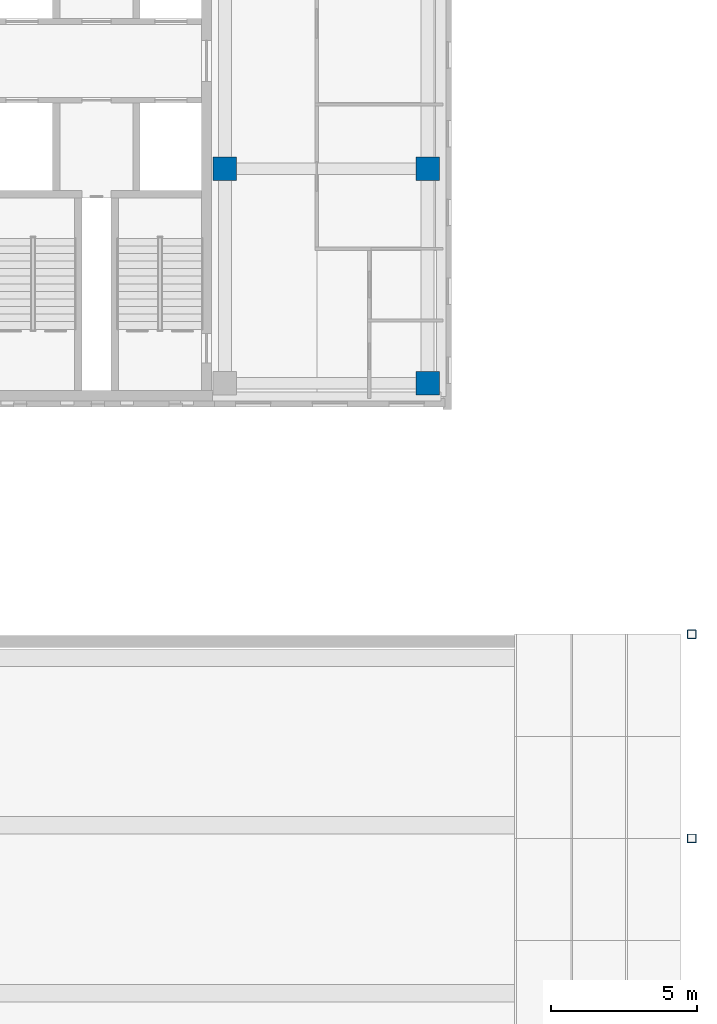
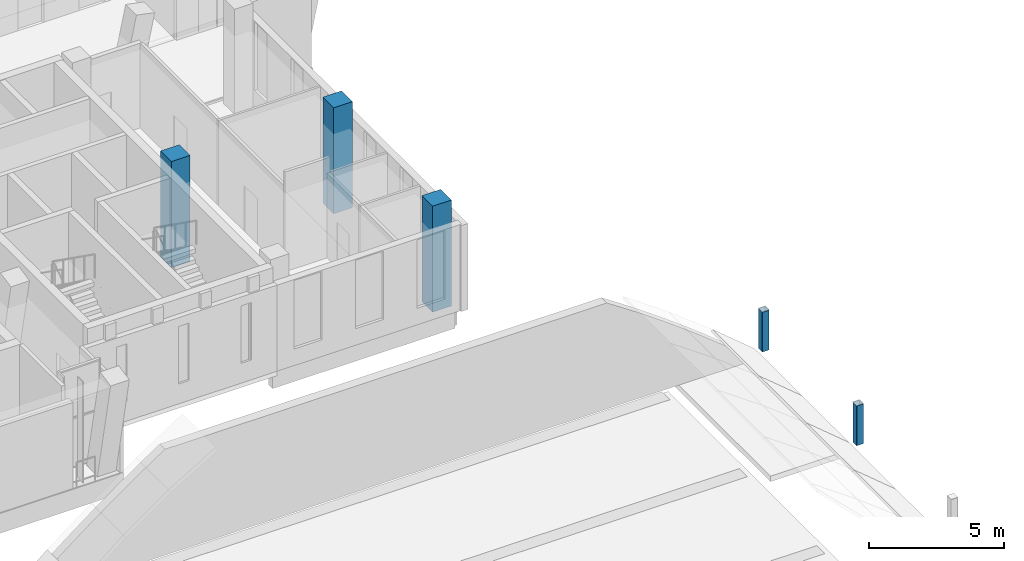
# One storey, part 8 of 89: 5 columns.
"""IFC4 building model written with IfcOpenShell, lengths in metres."""

from ifc_helpers import new_model, si_unit, direction, frame, origin, origin_2d, place, context, subcontext, project, spatial, rectangle, hollow_rectangle, extrude, material, material_profile, profile_set, type_object, element, save


model = new_model("IFC4")

# Units and contexts
model_context = context("Model", 3, precision=1e-05, world=origin(), true_north=direction((0.0, 1.0)))
body_context = subcontext(model_context, "Body", "Model", "MODEL_VIEW")
ifc_project = project(units=[si_unit("LENGTHUNIT", "METRE"), si_unit("AREAUNIT", "SQUARE_METRE"), si_unit("VOLUMEUNIT", "CUBIC_METRE"), si_unit("PLANEANGLEUNIT", "RADIAN"), si_unit("MASSUNIT", "GRAM", prefix="KILO")], contexts=[model_context])

# Site, building, storey
site_placement = place(None, origin())
site = spatial("IfcSite", under=ifc_project, at=site_placement, CompositionType="ELEMENT")
building_placement = place(site_placement, origin())
building = spatial("IfcBuilding", under=site, at=building_placement, Name="Lantern Court Media Centre", CompositionType="ELEMENT")
storey_placement = place(building_placement, frame((0.0, 0.0, 14.39990234375)))
storey = spatial("IfcBuildingStorey", under=building, at=storey_placement, Name="L03", CompositionType="ELEMENT", Elevation=14.39990234375)

# Columns
ifc_material_1 = material(Name="Concrete C35", Category="concrete")
ifc_material_profile_1 = material_profile(ifc_material_1, rectangle(XDim=0.800048828125, YDim=0.800048828125, at=origin_2d()), Name="RC 800x800")
ifc_profile_set_1 = profile_set([ifc_material_profile_1], Name="Concrete C35")
column_type_1 = type_object("IfcColumnType", Name="RC COLUMN 800x800", PredefinedType="COLUMN", material=ifc_profile_set_1)
for number, where, z_axis, x_axis, name in (
    (1, (88.449951171875, 55.949951171875, 0.0), (0.0, 0.0, 1.0), (1.0, 0.0, 0.0), "C-SE-1-L03"),
    (2, (95.39990234375, 48.60009765625, 0.0), (0.0, 0.0, 1.0), (1.0, 0.0, 0.0), "C-SE-3-L03"),
    (3, (95.39990234375, 55.949951171875, 0.0), (0.0, 0.0, 1.0), (1.0, 0.0, 0.0), "C-SE-4-L03"),
):
    element("IfcColumn", number, at=place(storey_placement, frame(where, z_axis=z_axis, x_axis=x_axis)), inside=storey, type_object=column_type_1, Name=name, PredefinedType="COLUMN", context=body_context, shape_type="SweptSolid", body=[
        extrude(rectangle(XDim=0.800048828125, YDim=0.800048828125, at=origin_2d()), origin(), (0.0, 0.0, 1.0), 4.800048828125),
    ])
ifc_material_2 = material(Name="Steel S355J2 (EN 10025-2)", Category="steel")
ifc_material_profile_2 = material_profile(ifc_material_2, hollow_rectangle(XDim=0.300048828125, YDim=0.300048828125, WallThickness=0.012451171875, InnerFilletRadius=0.012451171875, OuterFilletRadius=0.018798828125, at=origin_2d()), Name="Studio Hall buttress pinnacle SHS 300x12.5")
ifc_profile_set_2 = profile_set([ifc_material_profile_2], Name="Steel S355J2 (EN 10025-2)")
column_type_2 = type_object("IfcColumnType", Name="Studio Hall buttress pinnacle SHS 300x12.5", PredefinedType="COLUMN", material=ifc_profile_set_2)
for number, where, z_axis, x_axis, name in (
    (4, (104.4501953125, 33.0, 0.0), (0.0, 0.0, 1.0), (1.0, 0.0, 0.0), "Studio Hall pinnacle east 6"),
    (5, (104.4501953125, 40.0, 0.0), (0.0, 0.0, 1.0), (1.0, 0.0, 0.0), "Studio Hall pinnacle east 7"),
):
    element("IfcColumn", number, at=place(storey_placement, frame(where, z_axis=z_axis, x_axis=x_axis)), inside=storey, type_object=column_type_2, Name=name, PredefinedType="COLUMN", context=body_context, shape_type="SweptSolid", body=[
        extrude(hollow_rectangle(XDim=0.300048828125, YDim=0.300048828125, WallThickness=0.012451171875, InnerFilletRadius=0.012451171875, OuterFilletRadius=0.018798828125, at=origin_2d()), origin(), (0.0, 0.0, 1.0), 1.800048828125),
    ])

save(model, "model.ifc")
